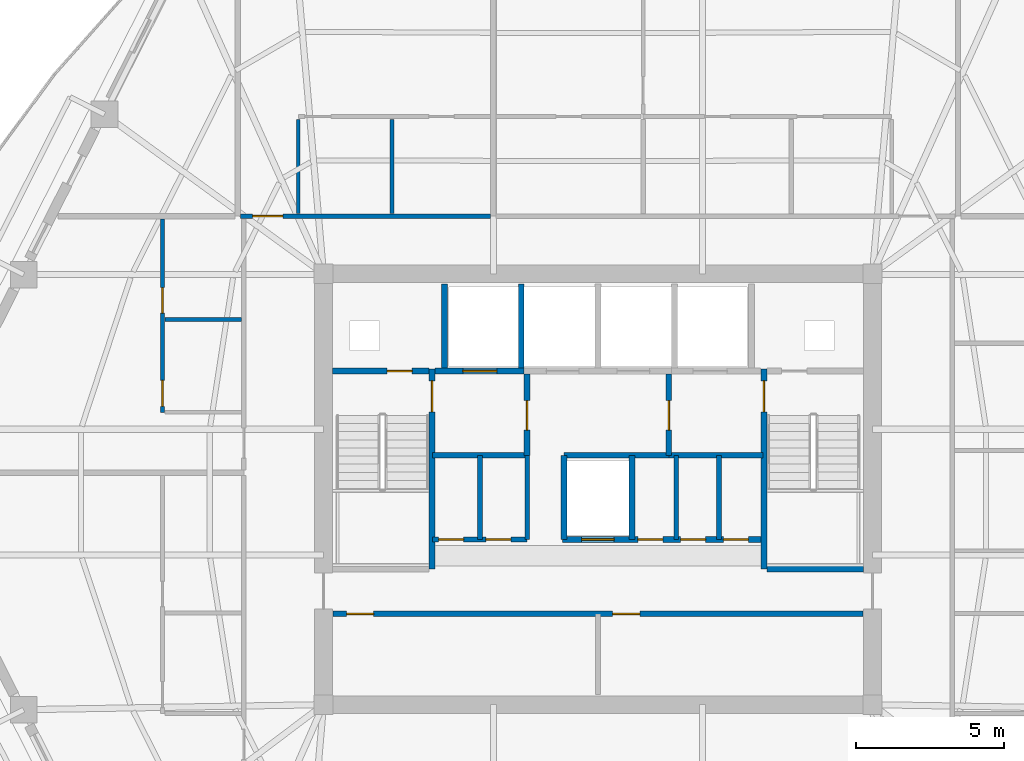
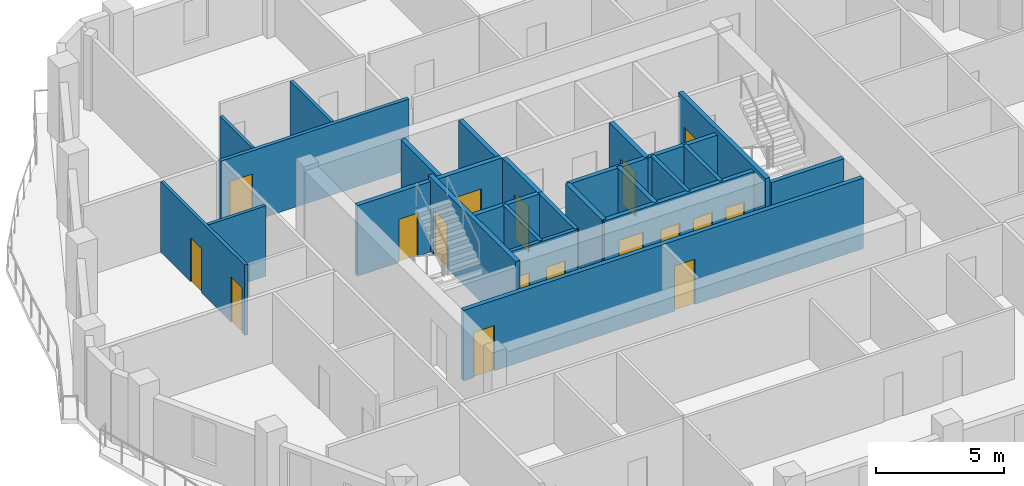
# One storey, part 5 of 12: 26 walls, 17 doors, 17 openings.
"""IFC4 building model written with IfcOpenShell, lengths in metres."""

from ifc_helpers import new_model, si_unit, direction, frame, frame_2d, origin, place, context, subcontext, project, spatial, rectangle, extrude, material, layer, layer_set, type_object, element, fill, save


model = new_model("IFC4")

# Units and contexts
model_context = context("Model", 3, precision=1e-05, world=origin(), true_north=direction((0.0, 1.0)))
body_context = subcontext(model_context, "Body", "Model", "MODEL_VIEW")
ifc_project = project(units=[si_unit("LENGTHUNIT", "METRE"), si_unit("AREAUNIT", "SQUARE_METRE"), si_unit("VOLUMEUNIT", "CUBIC_METRE"), si_unit("PLANEANGLEUNIT", "RADIAN"), si_unit("MASSUNIT", "GRAM", prefix="KILO")], contexts=[model_context])

# Site, building, storey
site_placement = place(None, origin())
site = spatial("IfcSite", under=ifc_project, at=site_placement, CompositionType="ELEMENT")
building_placement = place(site_placement, origin())
building = spatial("IfcBuilding", under=site, at=building_placement, Name="Cinnabar Lancet Tower", CompositionType="ELEMENT")
storey_placement = place(building_placement, frame((0.0, 0.0, 193.199951171875)))
storey = spatial("IfcBuildingStorey", under=building, at=storey_placement, Name="L51", CompositionType="ELEMENT", Elevation=193.199951171875)

# Wall, openings, doors
ifc_material_1 = material(Name="Acoustic twin-stud gypsum partition", Category="gypsum")
ifc_layer_1 = layer(ifc_material_1, 0.159912109375)
ifc_layer_set_1 = layer_set([ifc_layer_1], Name="Acoustic twin-stud gypsum partition")
wall_type_1 = type_object("IfcWallType", Name="ARC-WL-CORR-160", PredefinedType="PARTITIONING", material=ifc_layer_set_1)
wall_1_placement = place(storey_placement, frame((26.800048828125, 24.199951171875, 0.0), z_axis=(0.0, 0.0, 1.0), x_axis=(1.0, 0.0, 0.0)))
wall_1 = element("IfcWall", 1, at=wall_1_placement, inside=storey, type_object=wall_type_1, Name="CW-REC5S-L51", PredefinedType="PARTITIONING", context=body_context, shape_type="SweptSolid", body=[
    extrude(rectangle(XDim=3.199951171875, YDim=0.159912109375, at=frame_2d((1.60009765625, 0.0))), origin(), (0.0, 0.0, 1.0), 3.35009765625),
])
opening_1_placement = place(wall_1_placement, frame((0.199951171875, 0.0, 0.0)))
opening_1 = element("IfcOpeningElement", 2, at=opening_1_placement, cuts=wall_1, Name="Opening PD-02", PredefinedType="OPENING", context=body_context, shape_type="SweptSolid", body=[
    extrude(rectangle(XDim=0.85009765625, YDim=2.050048828125, at=frame_2d((0.425048828125, 1.02490234375))), frame((0.0, 0.08984375, 0.0), z_axis=(0.0, -1.0, 0.0), x_axis=(1.0, 0.0, 0.0)), (0.0, 0.0, 1.0), 0.179931640625),
])
opening_2_placement = place(wall_1_placement, frame((1.800048828125, 0.0, 0.0)))
opening_2 = element("IfcOpeningElement", 3, at=opening_2_placement, cuts=wall_1, Name="Opening PD-02", PredefinedType="OPENING", context=body_context, shape_type="SweptSolid", body=[
    extrude(rectangle(XDim=0.85009765625, YDim=2.050048828125, at=frame_2d((0.425048828125, 1.02490234375))), frame((0.0, 0.08984375, 0.0), z_axis=(0.0, -1.0, 0.0), x_axis=(1.0, 0.0, 0.0)), (0.0, 0.0, 1.0), 0.179931640625),
])
ifc_material_2 = material(Name="Fire-rated steel riser access door", Category="steel")
door_type_1 = type_object("IfcDoorType", Name="ARC-DR-RISER", OperationType="NOTDEFINED", PredefinedType="DOOR", material=ifc_material_2)
door_1_placement = place(opening_1_placement, origin())
door_1 = element("IfcDoor", 4, at=door_1_placement, inside=storey, type_object=door_type_1, Name="DR-L51-REC5A", OperationType="SINGLE_SWING_LEFT", OverallHeight=2.050048828125, OverallWidth=0.85009765625, PredefinedType="DOOR", context=body_context, shape_type="SweptSolid", body=[
    extrude(rectangle(XDim=0.85009765625, YDim=2.050048828125, at=frame_2d((0.425048828125, 1.02490234375))), frame((0.0, 0.02490234375, 0.0), z_axis=(0.0, -1.0, 0.0), x_axis=(1.0, 0.0, 0.0)), (0.0, 0.0, 1.0), 0.050048828125),
])
fill(opening_1, door_1)
door_2_placement = place(opening_2_placement, origin())
door_2 = element("IfcDoor", 5, at=door_2_placement, inside=storey, type_object=door_type_1, Name="DR-L51-REC5B", OperationType="SINGLE_SWING_RIGHT", OverallHeight=2.050048828125, OverallWidth=0.85009765625, PredefinedType="DOOR", context=body_context, shape_type="SweptSolid", body=[
    extrude(rectangle(XDim=0.85009765625, YDim=2.050048828125, at=frame_2d((0.425048828125, 1.02490234375))), frame((0.0, 0.02490234375, 0.0), z_axis=(0.0, -1.0, 0.0), x_axis=(1.0, 0.0, 0.0)), (0.0, 0.0, 1.0), 0.050048828125),
])
fill(opening_2, door_2)

# Walls
for number, where, z_axis, x_axis, name in (
    (6, (30.0, 24.199951171875, 0.0), (0.0, 0.0, 1.0), (0.0, 1.0, 0.0), "CW-REC5E-L51"),
    (7, (28.39990234375, 24.199951171875, 0.0), (0.0, 0.0, 1.0), (0.0, 1.0, 0.0), "CW-REC5D0-L51"),
    (8, (35.050048828125, 24.199951171875, 0.0), (0.0, 0.0, 1.0), (0.0, 1.0, 0.0), "CW-REC6D1-L51"),
    (9, (36.5, 24.199951171875, 0.0), (0.0, 0.0, 1.0), (0.0, 1.0, 0.0), "CW-REC6D2-L51"),
):
    element("IfcWall", number, at=place(storey_placement, frame(where, z_axis=z_axis, x_axis=x_axis)), inside=storey, type_object=wall_type_1, Name=name, PredefinedType="PARTITIONING", context=body_context, shape_type="SweptSolid", body=[
        extrude(rectangle(XDim=2.85009765625, YDim=0.159912109375, at=frame_2d((1.425048828125, 0.0))), origin(), (0.0, 0.0, 1.0), 3.35009765625),
    ])

# Wall, opening, door
wall_2_placement = place(storey_placement, frame((20.294921875, 35.14990234375, 0.0), z_axis=(0.0, 0.0, 1.0), x_axis=(1.0, 0.0, 0.0)))
wall_2 = element("IfcWall", 10, at=wall_2_placement, inside=storey, type_object=wall_type_1, Name="L51 Unit N01 Corridor Wall", PredefinedType="PARTITIONING", context=body_context, shape_type="SweptSolid", body=[
    extrude(rectangle(XDim=8.467041015625, YDim=0.159912109375, at=frame_2d((4.2333984375, 0.0))), origin(), (0.0, 0.0, 1.0), 3.35009765625),
])
opening_3_placement = place(wall_2_placement, frame((0.405029296875, 0.0, 0.0)))
opening_3 = element("IfcOpeningElement", 11, at=opening_3_placement, cuts=wall_2, Name="Opening UD-01", PredefinedType="OPENING", context=body_context, shape_type="SweptSolid", body=[
    extrude(rectangle(XDim=1.02001953125, YDim=2.25, at=frame_2d((0.510009765625, 1.125))), frame((0.0, 0.08984375, 0.0), z_axis=(0.0, -1.0, 0.0), x_axis=(1.0, 0.0, 0.0)), (0.0, 0.0, 1.0), 0.179931640625),
])
ifc_material_3 = material(Name="Solid timber fire-rated apartment entrance door", Category="wood")
door_type_2 = type_object("IfcDoorType", Name="ARC-DR-UNIT", OperationType="NOTDEFINED", PredefinedType="DOOR", material=ifc_material_3)
door_3_placement = place(opening_3_placement, origin())
door_3 = element("IfcDoor", 12, at=door_3_placement, inside=storey, type_object=door_type_2, Name="DR-L51-N01-ENT", OperationType="SINGLE_SWING_LEFT", OverallHeight=2.25, OverallWidth=1.02001953125, PredefinedType="DOOR", context=body_context, shape_type="SweptSolid", body=[
    extrude(rectangle(XDim=1.02001953125, YDim=2.25, at=frame_2d((0.510009765625, 1.125))), frame((0.0, 0.02490234375, 0.0), z_axis=(0.0, -1.0, 0.0), x_axis=(1.0, 0.0, 0.0)), (0.0, 0.0, 1.0), 0.050048828125),
])
fill(opening_3, door_3)

# Wall
ifc_material_4 = material(Name="Autoclaved aerated concrete blockwork", Category="masonry")
ifc_layer_2 = layer(ifc_material_4, 0.199951171875)
ifc_layer_set_2 = layer_set([ifc_layer_2], Name="Autoclaved aerated concrete blockwork")
wall_type_2 = type_object("IfcWallType", Name="ARC-WL-SHAFT-200", PredefinedType="PLUMBINGWALL", material=ifc_layer_set_2)
wall_3_placement = place(storey_placement, frame((38.125, 23.199951171875, 0.0), z_axis=(0.0, 0.0, 1.0), x_axis=(1.0, 0.0, 0.0)))
element("IfcWall", 13, at=wall_3_placement, inside=storey, type_object=wall_type_2, Name="CW-ST2S-L51", PredefinedType="PLUMBINGWALL", context=body_context, shape_type="SweptSolid", body=[
    extrude(rectangle(XDim=3.27001953125, YDim=0.199951171875, at=frame_2d((1.635009765625, 0.0))), origin(), (0.0, 0.0, 1.0), 3.35009765625),
])

# Wall, opening, door
wall_4_placement = place(storey_placement, frame((23.405029296875, 29.89990234375, 0.0), z_axis=(0.0, 0.0, 1.0), x_axis=(1.0, 0.0, 0.0)))
wall_4 = element("IfcWall", 14, at=wall_4_placement, inside=storey, type_object=wall_type_2, Name="CW-NSH-W-L51", PredefinedType="PLUMBINGWALL", context=body_context, shape_type="SweptSolid", body=[
    extrude(rectangle(XDim=3.27001953125, YDim=0.199951171875, at=frame_2d((1.635009765625, 0.0))), origin(), (0.0, 0.0, 1.0), 3.35009765625),
])
opening_4_placement = place(wall_4_placement, frame((1.85009765625, 0.0, 0.0)))
opening_4 = element("IfcOpeningElement", 15, at=opening_4_placement, cuts=wall_4, Name="Opening PD-02", PredefinedType="OPENING", context=body_context, shape_type="SweptSolid", body=[
    extrude(rectangle(XDim=0.85009765625, YDim=2.050048828125, at=frame_2d((0.425048828125, 1.02490234375))), frame((0.0, 0.10986328125, 0.0), z_axis=(0.0, -1.0, 0.0), x_axis=(1.0, 0.0, 0.0)), (0.0, 0.0, 1.0), 0.219970703125),
])
door_4_placement = place(opening_4_placement, origin())
door_4 = element("IfcDoor", 16, at=door_4_placement, inside=storey, type_object=door_type_1, Name="L51 West Riser Access Door", OperationType="SINGLE_SWING_LEFT", OverallHeight=2.050048828125, OverallWidth=0.85009765625, PredefinedType="DOOR", context=body_context, shape_type="SweptSolid", body=[
    extrude(rectangle(XDim=0.85009765625, YDim=2.050048828125, at=frame_2d((0.425048828125, 1.02490234375))), frame((0.0, 0.02490234375, 0.0), z_axis=(0.0, -1.0, 0.0), x_axis=(1.0, 0.0, 0.0)), (0.0, 0.0, 1.0), 0.050048828125),
])
fill(opening_4, door_4)

wall_5_placement = place(storey_placement, frame((26.885009765625, 29.89990234375, 0.0), z_axis=(0.0, 0.0, 1.0), x_axis=(1.0, 0.0, 0.0)))
wall_5 = element("IfcWall", 17, at=wall_5_placement, inside=storey, type_object=wall_type_2, Name="CW-FL1-L51", PredefinedType="PLUMBINGWALL", context=body_context, shape_type="SweptSolid", body=[
    extrude(rectangle(XDim=3.014892578125, YDim=0.199951171875, at=frame_2d((1.50732421875, 0.0))), origin(), (0.0, 0.0, 1.0), 3.35009765625),
])
opening_5_placement = place(wall_5_placement, frame((0.93994140625, 0.0, 0.0)))
opening_5 = element("IfcOpeningElement", 18, at=opening_5_placement, cuts=wall_5, Name="Opening LD-02", PredefinedType="OPENING", context=body_context, shape_type="SweptSolid", body=[
    extrude(rectangle(XDim=1.14990234375, YDim=2.199951171875, at=frame_2d((0.574951171875, 1.10009765625))), frame((0.0, 0.10986328125, 0.0), z_axis=(0.0, -1.0, 0.0), x_axis=(1.0, 0.0, 0.0)), (0.0, 0.0, 1.0), 0.219970703125),
])
ifc_material_5 = material(Name="Fire-rated stainless steel firefighting lift landing door", Category="steel")
door_type_3 = type_object("IfcDoorType", Name="ARC-DR-LD-FIRE", OperationType="NOTDEFINED", PredefinedType="DOOR", material=ifc_material_5)
door_5_placement = place(opening_5_placement, origin())
door_5 = element("IfcDoor", 19, at=door_5_placement, inside=storey, type_object=door_type_3, Name="L51 Firefighting Lift FL-1 Landing Door", OperationType="DOUBLE_DOOR_SLIDING", OverallHeight=2.199951171875, OverallWidth=1.14990234375, PredefinedType="DOOR", context=body_context, shape_type="SweptSolid", body=[
    extrude(rectangle(XDim=1.14990234375, YDim=2.199951171875, at=frame_2d((0.574951171875, 1.10009765625))), frame((0.0, 0.02490234375, 0.0), z_axis=(0.0, -1.0, 0.0), x_axis=(1.0, 0.0, 0.0)), (0.0, 0.0, 1.0), 0.050048828125),
])
fill(opening_5, door_5)

# Walls
for number, where, z_axis, x_axis, name in (
    (20, (27.199951171875, 30.0, 0.0), (0.0, 0.0, 1.0), (0.0, 1.0, 0.0), "CW-NSH-D1-L51"),
    (21, (29.800048828125, 30.0, 0.0), (0.0, 0.0, 1.0), (0.0, 1.0, 0.0), "CW-NSH-D2-L51"),
):
    element("IfcWall", number, at=place(storey_placement, frame(where, z_axis=z_axis, x_axis=x_axis)), inside=storey, type_object=wall_type_2, Name=name, PredefinedType="PLUMBINGWALL", context=body_context, shape_type="SweptSolid", body=[
        extrude(rectangle(XDim=2.85009765625, YDim=0.199951171875, at=frame_2d((1.425048828125, 0.0))), origin(), (0.0, 0.0, 1.0), 3.35009765625),
    ])

# Wall, opening, door
wall_6_placement = place(storey_placement, frame((30.0, 27.050048828125, 0.0), z_axis=(0.0, 0.0, 1.0), x_axis=(0.0, 1.0, 0.0)))
wall_6 = element("IfcWall", 22, at=wall_6_placement, inside=storey, type_object=wall_type_2, Name="CW-FF1E-L51", PredefinedType="PLUMBINGWALL", context=body_context, shape_type="SweptSolid", body=[
    extrude(rectangle(XDim=2.75, YDim=0.199951171875, at=frame_2d((1.375, 0.0))), origin(), (0.0, 0.0, 1.0), 3.35009765625),
])
opening_6_placement = place(wall_6_placement, frame((0.85009765625, 0.0, 0.0)))
opening_6 = element("IfcOpeningElement", 23, at=opening_6_placement, cuts=wall_6, Name="Opening FD-01", PredefinedType="OPENING", context=body_context, shape_type="SweptSolid", body=[
    extrude(rectangle(XDim=1.0, YDim=2.14990234375, at=frame_2d((0.5, 1.074951171875))), frame((0.0, 0.10986328125, 0.0), z_axis=(0.0, -1.0, 0.0), x_axis=(1.0, 0.0, 0.0)), (0.0, 0.0, 1.0), 0.219970703125),
])
ifc_material_6 = material(Name="Fire-rated timber-core lobby door", Category="wood")
door_type_4 = type_object("IfcDoorType", Name="ARC-DR-FFAL", OperationType="NOTDEFINED", PredefinedType="DOOR", material=ifc_material_6)
door_6_placement = place(opening_6_placement, origin())
door_6 = element("IfcDoor", 24, at=door_6_placement, inside=storey, type_object=door_type_4, Name="L51 FFAL-1 Lobby Fire Door", OperationType="SINGLE_SWING_RIGHT", OverallHeight=2.14990234375, OverallWidth=1.0, PredefinedType="DOOR", context=body_context, shape_type="SweptSolid", body=[
    extrude(rectangle(XDim=1.0, YDim=2.14990234375, at=frame_2d((0.5, 1.074951171875))), frame((0.0, 0.02490234375, 0.0), z_axis=(0.0, -1.0, 0.0), x_axis=(1.0, 0.0, 0.0)), (0.0, 0.0, 1.0), 0.050048828125),
])
fill(opening_6, door_6)

# Wall
wall_7_placement = place(storey_placement, frame((26.800048828125, 27.050048828125, 0.0), z_axis=(0.0, 0.0, 1.0), x_axis=(1.0, 0.0, 0.0)))
element("IfcWall", 25, at=wall_7_placement, inside=storey, type_object=wall_type_2, Name="CW-FF1S-L51", PredefinedType="PLUMBINGWALL", context=body_context, shape_type="SweptSolid", body=[
    extrude(rectangle(XDim=3.199951171875, YDim=0.199951171875, at=frame_2d((1.60009765625, 0.0))), origin(), (0.0, 0.0, 1.0), 3.35009765625),
])

# Wall, opening, door
wall_8_placement = place(storey_placement, frame((34.800048828125, 27.050048828125, 0.0), z_axis=(0.0, 0.0, 1.0), x_axis=(0.0, 1.0, 0.0)))
wall_8 = element("IfcWall", 26, at=wall_8_placement, inside=storey, type_object=wall_type_2, Name="CW-FF2W-L51", PredefinedType="PLUMBINGWALL", context=body_context, shape_type="SweptSolid", body=[
    extrude(rectangle(XDim=2.75, YDim=0.199951171875, at=frame_2d((1.375, 0.0))), origin(), (0.0, 0.0, 1.0), 3.35009765625),
])
opening_7_placement = place(wall_8_placement, frame((0.85009765625, 0.0, 0.0)))
opening_7 = element("IfcOpeningElement", 27, at=opening_7_placement, cuts=wall_8, Name="Opening FD-01", PredefinedType="OPENING", context=body_context, shape_type="SweptSolid", body=[
    extrude(rectangle(XDim=1.0, YDim=2.14990234375, at=frame_2d((0.5, 1.074951171875))), frame((0.0, 0.10986328125, 0.0), z_axis=(0.0, -1.0, 0.0), x_axis=(1.0, 0.0, 0.0)), (0.0, 0.0, 1.0), 0.219970703125),
])
door_7_placement = place(opening_7_placement, origin())
door_7 = element("IfcDoor", 28, at=door_7_placement, inside=storey, type_object=door_type_4, Name="L51 FFAL-2 Lobby Fire Door", OperationType="SINGLE_SWING_LEFT", OverallHeight=2.14990234375, OverallWidth=1.0, PredefinedType="DOOR", context=body_context, shape_type="SweptSolid", body=[
    extrude(rectangle(XDim=1.0, YDim=2.14990234375, at=frame_2d((0.5, 1.074951171875))), frame((0.0, 0.02490234375, 0.0), z_axis=(0.0, -1.0, 0.0), x_axis=(1.0, 0.0, 0.0)), (0.0, 0.0, 1.0), 0.050048828125),
])
fill(opening_7, door_7)

# Wall
wall_9_placement = place(storey_placement, frame((34.800048828125, 27.050048828125, 0.0), z_axis=(0.0, 0.0, 1.0), x_axis=(1.0, 0.0, 0.0)))
element("IfcWall", 29, at=wall_9_placement, inside=storey, type_object=wall_type_2, Name="CW-FF2S-L51", PredefinedType="PLUMBINGWALL", context=body_context, shape_type="SweptSolid", body=[
    extrude(rectangle(XDim=3.199951171875, YDim=0.199951171875, at=frame_2d((1.60009765625, 0.0))), origin(), (0.0, 0.0, 1.0), 3.35009765625),
])

# Wall, openings, doors
wall_10_placement = place(storey_placement, frame((31.199951171875, 24.199951171875, 0.0), z_axis=(0.0, 0.0, 1.0), x_axis=(1.0, 0.0, 0.0)))
wall_10 = element("IfcWall", 30, at=wall_10_placement, inside=storey, type_object=wall_type_2, Name="CW-PL96S-L51", PredefinedType="PLUMBINGWALL", context=body_context, shape_type="SweptSolid", body=[
    extrude(rectangle(XDim=6.800048828125, YDim=0.199951171875, at=frame_2d((3.39990234375, 0.0))), origin(), (0.0, 0.0, 1.0), 3.35009765625),
])
opening_8_placement = place(wall_10_placement, frame((0.64990234375, 0.0, 0.0)))
opening_8 = element("IfcOpeningElement", 31, at=opening_8_placement, cuts=wall_10, Name="Opening LD-01", PredefinedType="OPENING", context=body_context, shape_type="SweptSolid", body=[
    extrude(rectangle(XDim=1.10009765625, YDim=2.199951171875, at=frame_2d((0.550048828125, 1.10009765625))), frame((0.0, 0.10986328125, 0.0), z_axis=(0.0, -1.0, 0.0), x_axis=(1.0, 0.0, 0.0)), (0.0, 0.0, 1.0), 0.219970703125),
])
opening_9_placement = place(wall_10_placement, frame((2.550048828125, 0.0, 0.0)))
opening_9 = element("IfcOpeningElement", 32, at=opening_9_placement, cuts=wall_10, Name="Opening PD-02", PredefinedType="OPENING", context=body_context, shape_type="SweptSolid", body=[
    extrude(rectangle(XDim=0.85009765625, YDim=2.050048828125, at=frame_2d((0.425048828125, 1.02490234375))), frame((0.0, 0.10986328125, 0.0), z_axis=(0.0, -1.0, 0.0), x_axis=(1.0, 0.0, 0.0)), (0.0, 0.0, 1.0), 0.219970703125),
])
opening_10_placement = place(wall_10_placement, frame((4.0, 0.0, 0.0)))
opening_10 = element("IfcOpeningElement", 33, at=opening_10_placement, cuts=wall_10, Name="Opening PD-02", PredefinedType="OPENING", context=body_context, shape_type="SweptSolid", body=[
    extrude(rectangle(XDim=0.85009765625, YDim=2.050048828125, at=frame_2d((0.425048828125, 1.02490234375))), frame((0.0, 0.10986328125, 0.0), z_axis=(0.0, -1.0, 0.0), x_axis=(1.0, 0.0, 0.0)), (0.0, 0.0, 1.0), 0.219970703125),
])
opening_11_placement = place(wall_10_placement, frame((5.449951171875, 0.0, 0.0)))
opening_11 = element("IfcOpeningElement", 34, at=opening_11_placement, cuts=wall_10, Name="Opening PD-02", PredefinedType="OPENING", context=body_context, shape_type="SweptSolid", body=[
    extrude(rectangle(XDim=0.85009765625, YDim=2.050048828125, at=frame_2d((0.425048828125, 1.02490234375))), frame((0.0, 0.10986328125, 0.0), z_axis=(0.0, -1.0, 0.0), x_axis=(1.0, 0.0, 0.0)), (0.0, 0.0, 1.0), 0.219970703125),
])
ifc_material_7 = material(Name="Brushed stainless steel sliding lift door", Category="steel")
door_type_5 = type_object("IfcDoorType", Name="ARC-DR-LD-PASS", OperationType="NOTDEFINED", PredefinedType="DOOR", material=ifc_material_7)
door_8_placement = place(opening_8_placement, origin())
door_8 = element("IfcDoor", 35, at=door_8_placement, inside=storey, type_object=door_type_5, Name="L51 Lift PL-9 Landing Door", OperationType="DOUBLE_DOOR_SLIDING", OverallHeight=2.199951171875, OverallWidth=1.10009765625, PredefinedType="DOOR", context=body_context, shape_type="SweptSolid", body=[
    extrude(rectangle(XDim=1.10009765625, YDim=2.199951171875, at=frame_2d((0.550048828125, 1.10009765625))), frame((0.0, 0.02490234375, 0.0), z_axis=(0.0, -1.0, 0.0), x_axis=(1.0, 0.0, 0.0)), (0.0, 0.0, 1.0), 0.050048828125),
])
fill(opening_8, door_8)
door_9_placement = place(opening_9_placement, origin())
door_9 = element("IfcDoor", 36, at=door_9_placement, inside=storey, type_object=door_type_1, Name="DR-L51-REC6A", OperationType="SINGLE_SWING_LEFT", OverallHeight=2.050048828125, OverallWidth=0.85009765625, PredefinedType="DOOR", context=body_context, shape_type="SweptSolid", body=[
    extrude(rectangle(XDim=0.85009765625, YDim=2.050048828125, at=frame_2d((0.425048828125, 1.02490234375))), frame((0.0, 0.02490234375, 0.0), z_axis=(0.0, -1.0, 0.0), x_axis=(1.0, 0.0, 0.0)), (0.0, 0.0, 1.0), 0.050048828125),
])
fill(opening_9, door_9)
door_10_placement = place(opening_10_placement, origin())
door_10 = element("IfcDoor", 37, at=door_10_placement, inside=storey, type_object=door_type_1, Name="DR-L51-REC6B", OperationType="SINGLE_SWING_RIGHT", OverallHeight=2.050048828125, OverallWidth=0.85009765625, PredefinedType="DOOR", context=body_context, shape_type="SweptSolid", body=[
    extrude(rectangle(XDim=0.85009765625, YDim=2.050048828125, at=frame_2d((0.425048828125, 1.02490234375))), frame((0.0, 0.02490234375, 0.0), z_axis=(0.0, -1.0, 0.0), x_axis=(1.0, 0.0, 0.0)), (0.0, 0.0, 1.0), 0.050048828125),
])
fill(opening_10, door_10)
door_11_placement = place(opening_11_placement, origin())
door_11 = element("IfcDoor", 38, at=door_11_placement, inside=storey, type_object=door_type_1, Name="DR-L51-REC6C", OperationType="SINGLE_SWING_LEFT", OverallHeight=2.050048828125, OverallWidth=0.85009765625, PredefinedType="DOOR", context=body_context, shape_type="SweptSolid", body=[
    extrude(rectangle(XDim=0.85009765625, YDim=2.050048828125, at=frame_2d((0.425048828125, 1.02490234375))), frame((0.0, 0.02490234375, 0.0), z_axis=(0.0, -1.0, 0.0), x_axis=(1.0, 0.0, 0.0)), (0.0, 0.0, 1.0), 0.050048828125),
])
fill(opening_11, door_11)

# Walls
for number, where, z_axis, x_axis, name in (
    (39, (31.25, 24.199951171875, 0.0), (0.0, 0.0, 1.0), (0.0, 1.0, 0.0), "CW-PL9W-L51"),
    (40, (33.550048828125, 24.199951171875, 0.0), (0.0, 0.0, 1.0), (0.0, 1.0, 0.0), "CW-PL9E-L51"),
):
    element("IfcWall", number, at=place(storey_placement, frame(where, z_axis=z_axis, x_axis=x_axis)), inside=storey, type_object=wall_type_2, Name=name, PredefinedType="PLUMBINGWALL", context=body_context, shape_type="SweptSolid", body=[
        extrude(rectangle(XDim=2.85009765625, YDim=0.199951171875, at=frame_2d((1.425048828125, 0.0))), origin(), (0.0, 0.0, 1.0), 3.35009765625),
    ])
wall_11_placement = place(storey_placement, frame((31.25, 27.050048828125, 0.0), z_axis=(0.0, 0.0, 1.0), x_axis=(1.0, 0.0, 0.0)))
element("IfcWall", 41, at=wall_11_placement, inside=storey, type_object=wall_type_2, Name="CW-PL96N-L51", PredefinedType="PLUMBINGWALL", context=body_context, shape_type="SweptSolid", body=[
    extrude(rectangle(XDim=3.550048828125, YDim=0.199951171875, at=frame_2d((1.77490234375, 0.0))), origin(), (0.0, 0.0, 1.0), 3.35009765625),
])

# Wall, openings, doors
wall_12_placement = place(storey_placement, frame((23.419921875, 21.679931640625, 0.0), z_axis=(0.0, 0.0, 1.0), x_axis=(1.0, 0.0, 0.0)))
wall_12 = element("IfcWall", 42, at=wall_12_placement, inside=storey, type_object=wall_type_2, Name="CW-SBANDN-L51", PredefinedType="PLUMBINGWALL", context=body_context, shape_type="SweptSolid", body=[
    extrude(rectangle(XDim=17.9599609375, YDim=0.199951171875, at=frame_2d((8.97998046875, 0.0))), origin(), (0.0, 0.0, 1.0), 3.35009765625),
])
opening_12_placement = place(wall_12_placement, frame((0.4599609375, 0.0, 0.0)))
opening_12 = element("IfcOpeningElement", 43, at=opening_12_placement, cuts=wall_12, Name="Opening RD-01", PredefinedType="OPENING", context=body_context, shape_type="SweptSolid", body=[
    extrude(rectangle(XDim=0.919921875, YDim=2.14990234375, at=frame_2d((0.4599609375, 1.074951171875))), frame((0.0, 0.10986328125, 0.0), z_axis=(0.0, -1.0, 0.0), x_axis=(1.0, 0.0, 0.0)), (0.0, 0.0, 1.0), 0.219970703125),
])
opening_13_placement = place(wall_12_placement, frame((9.47998046875, 0.0, 0.0)))
opening_13 = element("IfcOpeningElement", 44, at=opening_13_placement, cuts=wall_12, Name="Opening RD-01", PredefinedType="OPENING", context=body_context, shape_type="SweptSolid", body=[
    extrude(rectangle(XDim=0.919921875, YDim=2.14990234375, at=frame_2d((0.4599609375, 1.074951171875))), frame((0.0, 0.10986328125, 0.0), z_axis=(0.0, -1.0, 0.0), x_axis=(1.0, 0.0, 0.0)), (0.0, 0.0, 1.0), 0.219970703125),
])
ifc_material_8 = material(Name="Engineered timber bedroom door", Category="wood")
door_type_6 = type_object("IfcDoorType", Name="ARC-DR-ROOM", OperationType="NOTDEFINED", PredefinedType="DOOR", material=ifc_material_8)
door_12_placement = place(opening_12_placement, origin())
door_12 = element("IfcDoor", 45, at=door_12_placement, inside=storey, type_object=door_type_6, Name="DR-L51-HREC1", OperationType="SINGLE_SWING_LEFT", OverallHeight=2.14990234375, OverallWidth=0.919921875, PredefinedType="DOOR", context=body_context, shape_type="SweptSolid", body=[
    extrude(rectangle(XDim=0.919921875, YDim=2.14990234375, at=frame_2d((0.4599609375, 1.074951171875))), frame((0.0, 0.02490234375, 0.0), z_axis=(0.0, -1.0, 0.0), x_axis=(1.0, 0.0, 0.0)), (0.0, 0.0, 1.0), 0.050048828125),
])
fill(opening_12, door_12)
door_13_placement = place(opening_13_placement, origin())
door_13 = element("IfcDoor", 46, at=door_13_placement, inside=storey, type_object=door_type_6, Name="DR-L51-HREC2", OperationType="SINGLE_SWING_RIGHT", OverallHeight=2.14990234375, OverallWidth=0.919921875, PredefinedType="DOOR", context=body_context, shape_type="SweptSolid", body=[
    extrude(rectangle(XDim=0.919921875, YDim=2.14990234375, at=frame_2d((0.4599609375, 1.074951171875))), frame((0.0, 0.02490234375, 0.0), z_axis=(0.0, -1.0, 0.0), x_axis=(1.0, 0.0, 0.0)), (0.0, 0.0, 1.0), 0.050048828125),
])
fill(opening_13, door_13)

# Walls
ifc_material_9 = material(Name="Gypsum plasterboard stud partition", Category="gypsum")
ifc_layer_3 = layer(ifc_material_9, 0.125)
ifc_layer_set_3 = layer_set([ifc_layer_3], Name="Gypsum plasterboard stud partition")
wall_type_3 = type_object("IfcWallType", Name="ARC-WL-UNIT-125", PredefinedType="PARTITIONING", material=ifc_layer_set_3)
wall_13_placement = place(storey_placement, frame((22.25, 35.235107421875, 0.0), z_axis=(0.0, 0.0, 1.0), x_axis=(0.0, 1.0, 0.0)))
element("IfcWall", 47, at=wall_13_placement, inside=storey, type_object=wall_type_3, Name="UW-L51-N01-FOYE", PredefinedType="PARTITIONING", context=body_context, shape_type="SweptSolid", body=[
    extrude(rectangle(XDim=3.19384765625, YDim=0.125, at=frame_2d((1.596923828125, 0.0))), origin(), (0.0, 0.0, 1.0), 2.80712890625),
])
ifc_material_10 = material(Name="Moisture-resistant cement-board plumbing wall", Category="masonry")
ifc_layer_4 = layer(ifc_material_10, 0.139892578125)
ifc_layer_set_4 = layer_set([ifc_layer_4], Name="Moisture-resistant cement-board plumbing wall")
wall_type_4 = type_object("IfcWallType", Name="ARC-WL-WET-140", PredefinedType="PLUMBINGWALL", material=ifc_layer_set_4)
wall_14_placement = place(storey_placement, frame((25.4208984375, 35.235107421875, 0.0), z_axis=(0.0, 0.0, 1.0), x_axis=(0.0, 1.0, 0.0)))
element("IfcWall", 48, at=wall_14_placement, inside=storey, type_object=wall_type_4, Name="UW-L51-N01-KDV", PredefinedType="PLUMBINGWALL", context=body_context, shape_type="SweptSolid", body=[
    extrude(rectangle(XDim=3.19384765625, YDim=0.139892578125, at=frame_2d((1.596923828125, 0.0))), origin(), (0.0, 0.0, 1.0), 3.35009765625),
])

# Wall, openings, doors
wall_15_placement = place(storey_placement, frame((17.64990234375, 28.506103515625, 0.0), z_axis=(0.0, 0.0, 1.0), x_axis=(0.0, 1.0, 0.0)))
wall_15 = element("IfcWall", 49, at=wall_15_placement, inside=storey, type_object=wall_type_4, Name="UW-L51-W02-SPL", PredefinedType="PLUMBINGWALL", context=body_context, shape_type="SweptSolid", body=[
    extrude(rectangle(XDim=6.548828125, YDim=0.139892578125, at=frame_2d((3.2744140625, 0.0))), origin(), (0.0, 0.0, 1.0), 3.35009765625),
])
opening_14_placement = place(wall_15_placement, frame((3.364013671875, 0.0, 0.0)))
opening_14 = element("IfcOpeningElement", 50, at=opening_14_placement, cuts=wall_15, Name="Opening BD-01", PredefinedType="OPENING", context=body_context, shape_type="SweptSolid", body=[
    extrude(rectangle(XDim=0.860107421875, YDim=2.10009765625, at=frame_2d((0.43017578125, 1.050048828125))), frame((0.0, 0.079833984375, 0.0), z_axis=(0.0, -1.0, 0.0), x_axis=(1.0, 0.0, 0.0)), (0.0, 0.0, 1.0), 0.159912109375),
])
opening_15_placement = place(wall_15_placement, frame((0.199951171875, 0.0, 0.0)))
opening_15 = element("IfcOpeningElement", 51, at=opening_15_placement, cuts=wall_15, Name="Opening RD-02", PredefinedType="OPENING", context=body_context, shape_type="SweptSolid", body=[
    extrude(rectangle(XDim=0.8798828125, YDim=2.14990234375, at=frame_2d((0.43994140625, 1.074951171875))), frame((0.0, 0.079833984375, 0.0), z_axis=(0.0, -1.0, 0.0), x_axis=(1.0, 0.0, 0.0)), (0.0, 0.0, 1.0), 0.159912109375),
])
ifc_material_11 = material(Name="Moisture-resistant timber bathroom door", Category="wood")
door_type_7 = type_object("IfcDoorType", Name="ARC-DR-BATH", OperationType="NOTDEFINED", PredefinedType="DOOR", material=ifc_material_11)
door_14_placement = place(opening_14_placement, origin())
door_14 = element("IfcDoor", 52, at=door_14_placement, inside=storey, type_object=door_type_7, Name="DR-L51-W02-BTH", OperationType="SINGLE_SWING_LEFT", OverallHeight=2.10009765625, OverallWidth=0.860107421875, PredefinedType="DOOR", context=body_context, shape_type="SweptSolid", body=[
    extrude(rectangle(XDim=0.860107421875, YDim=2.10009765625, at=frame_2d((0.43017578125, 1.050048828125))), frame((0.0, 0.02490234375, 0.0), z_axis=(0.0, -1.0, 0.0), x_axis=(1.0, 0.0, 0.0)), (0.0, 0.0, 1.0), 0.050048828125),
])
fill(opening_14, door_14)
ifc_material_12 = material(Name="Engineered timber study door", Category="wood")
door_type_8 = type_object("IfcDoorType", Name="ARC-DR-STUDY", OperationType="NOTDEFINED", PredefinedType="DOOR", material=ifc_material_12)
door_15_placement = place(opening_15_placement, origin())
door_15 = element("IfcDoor", 53, at=door_15_placement, inside=storey, type_object=door_type_8, Name="DR-L51-W02-KIT", OperationType="SINGLE_SWING_RIGHT", OverallHeight=2.14990234375, OverallWidth=0.8798828125, PredefinedType="DOOR", context=body_context, shape_type="SweptSolid", body=[
    extrude(rectangle(XDim=0.8798828125, YDim=2.14990234375, at=frame_2d((0.43994140625, 1.074951171875))), frame((0.0, 0.02490234375, 0.0), z_axis=(0.0, -1.0, 0.0), x_axis=(1.0, 0.0, 0.0)), (0.0, 0.0, 1.0), 0.050048828125),
])
fill(opening_15, door_15)

# Wall
wall_16_placement = place(storey_placement, frame((17.735107421875, 31.64990234375, 0.0), z_axis=(0.0, 0.0, 1.0), x_axis=(1.0, 0.0, 0.0)))
element("IfcWall", 54, at=wall_16_placement, inside=storey, type_object=wall_type_4, Name="UW-L51-W02-KDV", PredefinedType="PLUMBINGWALL", context=body_context, shape_type="SweptSolid", body=[
    extrude(rectangle(XDim=2.579833984375, YDim=0.139892578125, at=frame_2d((1.2900390625, 0.0))), origin(), (0.0, 0.0, 1.0), 3.35009765625),
])

# Wall, opening, door
ifc_material_13 = material(Name="Concrete C50/60", Category="concrete")
ifc_layer_5 = layer(ifc_material_13, 0.199951171875)
ifc_layer_set_5 = layer_set([ifc_layer_5], Name="Concrete C50/60")
wall_type_5 = type_object("IfcWallType", Name="STR-WL-STAIR-200", PredefinedType="SHEAR", material=ifc_layer_set_5)
wall_17_placement = place(storey_placement, frame((26.780029296875, 23.199951171875, 0.0), z_axis=(0.0, 0.0, 1.0), x_axis=(0.0, 1.0, 0.0)))
wall_17 = element("IfcWall", 55, at=wall_17_placement, inside=storey, type_object=wall_type_5, Name="L51 Stair ST-1 Structural Enclosure Wall", PredefinedType="SHEAR", context=body_context, shape_type="SweptSolid", body=[
    extrude(rectangle(XDim=6.780029296875, YDim=0.199951171875, at=frame_2d((3.39013671875, 0.0))), origin(), (0.0, 0.0, 1.0), 3.550048828125),
])
opening_16_placement = place(wall_17_placement, frame((5.320068359375, 0.0, 0.0)))
opening_16 = element("IfcOpeningElement", 56, at=opening_16_placement, cuts=wall_17, Name="Opening SD-01", PredefinedType="OPENING", context=body_context, shape_type="SweptSolid", body=[
    extrude(rectangle(XDim=1.050048828125, YDim=2.14990234375, at=frame_2d((0.52490234375, 1.074951171875))), frame((0.0, 0.10986328125, 0.0), z_axis=(0.0, -1.0, 0.0), x_axis=(1.0, 0.0, 0.0)), (0.0, 0.0, 1.0), 0.219970703125),
])
ifc_material_14 = material(Name="Fire-rated steel stair exit door", Category="steel")
door_type_9 = type_object("IfcDoorType", Name="ARC-DR-STAIR", OperationType="NOTDEFINED", PredefinedType="DOOR", material=ifc_material_14)
door_16_placement = place(opening_16_placement, origin())
door_16 = element("IfcDoor", 57, at=door_16_placement, inside=storey, type_object=door_type_9, Name="L51 Stair ST-1 Fire Door", OperationType="SINGLE_SWING_LEFT", OverallHeight=2.14990234375, OverallWidth=1.050048828125, PredefinedType="DOOR", context=body_context, shape_type="SweptSolid", body=[
    extrude(rectangle(XDim=1.050048828125, YDim=2.14990234375, at=frame_2d((0.52490234375, 1.074951171875))), frame((0.0, 0.02490234375, 0.0), z_axis=(0.0, -1.0, 0.0), x_axis=(1.0, 0.0, 0.0)), (0.0, 0.0, 1.0), 0.050048828125),
])
fill(opening_16, door_16)

wall_18_placement = place(storey_placement, frame((38.02001953125, 23.199951171875, 0.0), z_axis=(0.0, 0.0, 1.0), x_axis=(0.0, 1.0, 0.0)))
wall_18 = element("IfcWall", 58, at=wall_18_placement, inside=storey, type_object=wall_type_5, Name="L51 Stair ST-2 Structural Enclosure Wall", PredefinedType="SHEAR", context=body_context, shape_type="SweptSolid", body=[
    extrude(rectangle(XDim=6.780029296875, YDim=0.199951171875, at=frame_2d((3.39013671875, 0.0))), origin(), (0.0, 0.0, 1.0), 3.550048828125),
])
opening_17_placement = place(wall_18_placement, frame((5.320068359375, 0.0, 0.0)))
opening_17 = element("IfcOpeningElement", 59, at=opening_17_placement, cuts=wall_18, Name="Opening SD-01", PredefinedType="OPENING", context=body_context, shape_type="SweptSolid", body=[
    extrude(rectangle(XDim=1.050048828125, YDim=2.14990234375, at=frame_2d((0.52490234375, 1.074951171875))), frame((0.0, 0.10986328125, 0.0), z_axis=(0.0, -1.0, 0.0), x_axis=(1.0, 0.0, 0.0)), (0.0, 0.0, 1.0), 0.219970703125),
])
door_17_placement = place(opening_17_placement, origin())
door_17 = element("IfcDoor", 60, at=door_17_placement, inside=storey, type_object=door_type_9, Name="L51 Stair ST-2 Fire Door", OperationType="SINGLE_SWING_RIGHT", OverallHeight=2.14990234375, OverallWidth=1.050048828125, PredefinedType="DOOR", context=body_context, shape_type="SweptSolid", body=[
    extrude(rectangle(XDim=1.050048828125, YDim=2.14990234375, at=frame_2d((0.52490234375, 1.074951171875))), frame((0.0, 0.02490234375, 0.0), z_axis=(0.0, -1.0, 0.0), x_axis=(1.0, 0.0, 0.0)), (0.0, 0.0, 1.0), 0.050048828125),
])
fill(opening_17, door_17)

save(model, "model.ifc")
